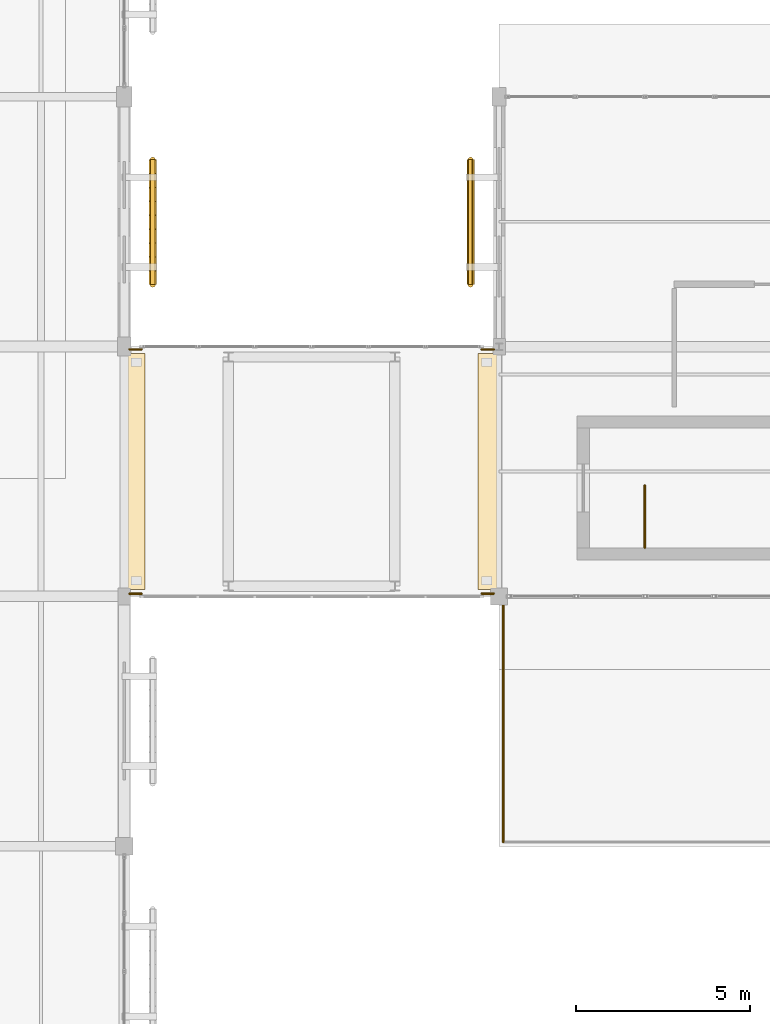
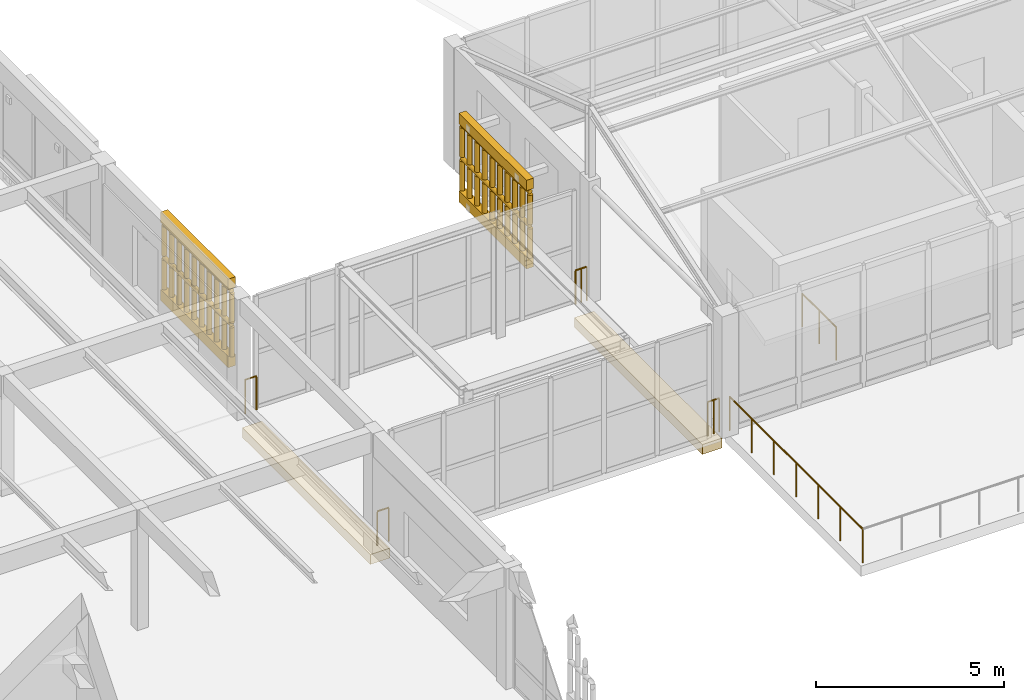
# One storey, part 98 of 112: 10 railings, 6 coverings.
"""IFC4 building model written with IfcOpenShell, lengths in metres."""

from ifc_helpers import new_model, si_unit, direction, frame, origin, origin_2d, place, context, subcontext, project, spatial, polyline, circle, outline, extrude, material, layer, layer_set, type_object, element, save


model = new_model("IFC4")

# Units and contexts
model_context = context("Model", 3, precision=1e-05, world=origin(), true_north=direction((0.0, 1.0)))
body_context = subcontext(model_context, "Body", "Model", "MODEL_VIEW")
ifc_project = project(units=[si_unit("LENGTHUNIT", "METRE"), si_unit("AREAUNIT", "SQUARE_METRE"), si_unit("VOLUMEUNIT", "CUBIC_METRE"), si_unit("PLANEANGLEUNIT", "RADIAN"), si_unit("MASSUNIT", "GRAM", prefix="KILO")], contexts=[model_context])

# Site, building, storey
site_placement = place(None, origin())
site = spatial("IfcSite", under=ifc_project, at=site_placement, CompositionType="ELEMENT")
building_placement = place(site_placement, origin())
building = spatial("IfcBuilding", under=site, at=building_placement, Name="Mazaris Harbour Polytechnic", CompositionType="ELEMENT")
storey_placement = place(building_placement, frame((0.0, 0.0, 13.800048828125)))
storey = spatial("IfcBuildingStorey", under=building, at=storey_placement, Name="L03", CompositionType="ELEMENT", Elevation=13.800048828125)

# Coverings
ifc_material_1 = material(Name="Concrete C40/50", Category="concrete")
ifc_layer_1 = layer(ifc_material_1, 0.320068359375, Name="Concrete C40/50")
ifc_layer_set_1 = layer_set([ifc_layer_1], Name="Concrete C40/50")
covering_type_1 = type_object("IfcCoveringType", Name="Bridge Bearing Corbel 600 Exterior", PredefinedType="CLADDING", material=ifc_layer_set_1)
covering_1_placement = place(storey_placement, frame((0.0, 0.0, -0.650146484375)))
element("IfcCovering", 1, at=covering_1_placement, inside=storey, type_object=covering_type_1, Name="PB-W1 L03 600mm Bridge Bearing Seat Corbel W", PredefinedType="CLADDING", context=body_context, shape_type="SweptSolid", body=[
    extrude(outline(polyline([(43.199951171875, 21.800048828125), (43.800048828125, 21.800048828125), (43.800048828125, 28.60009765625), (43.199951171875, 28.60009765625), (43.199951171875, 21.800048828125)])), origin(), (0.0, 0.0, 1.0), 0.320068359375),
])
covering_2_placement = place(storey_placement, frame((0.0, 0.0, -0.650146484375)))
element("IfcCovering", 2, at=covering_2_placement, inside=storey, type_object=covering_type_1, Name="PB-W1 L03 600mm Bridge Bearing Seat Corbel E", PredefinedType="CLADDING", context=body_context, shape_type="SweptSolid", body=[
    extrude(outline(polyline([(53.39990234375, 21.800048828125), (54.0, 21.800048828125), (54.0, 28.60009765625), (53.39990234375, 28.60009765625), (53.39990234375, 21.800048828125)])), origin(), (0.0, 0.0, 1.0), 0.320068359375),
])

# Railings
ifc_material_2 = material(Name="Algerian Buff Limestone", Category="masonry")
railing_type_1 = type_object("IfcRailingType", Name="Limestone Roof Garden Balustrade 1100", PredefinedType="BALUSTRADE", material=ifc_material_2)
railing_1_placement = place(storey_placement, frame((54.1201171875, 21.60009765625, 0.0)))
element("IfcRailing", 3, at=railing_1_placement, inside=storey, type_object=railing_type_1, Name="Railing BAL-V3-W", PredefinedType="BALUSTRADE", context=body_context, shape_type="SweptSolid", body=[
    extrude(circle(Radius=0.02392578125, at=origin_2d()), frame((0.0, 0.0, 1.09619140625), z_axis=(0.0, -1.0, 0.0), x_axis=(1.0, 0.0, 0.0)), (0.0, 0.0, 1.0), 7.080078125),
    extrude(circle(Radius=0.02099609375, at=origin_2d()), origin(), (0.0, 0.0, 1.0), 1.072021484375),
    extrude(circle(Radius=0.02099609375, at=origin_2d()), frame((0.0, -1.179931640625, 0.0)), (0.0, 0.0, 1.0), 1.072021484375),
    extrude(circle(Radius=0.02099609375, at=origin_2d()), frame((0.0, -2.360107421875, 0.0)), (0.0, 0.0, 1.0), 1.072021484375),
    extrude(circle(Radius=0.02099609375, at=origin_2d()), frame((0.0, -3.5400390625, 0.0)), (0.0, 0.0, 1.0), 1.072021484375),
    extrude(circle(Radius=0.02099609375, at=origin_2d()), frame((0.0, -4.719970703125, 0.0)), (0.0, 0.0, 1.0), 1.072021484375),
    extrude(circle(Radius=0.02099609375, at=origin_2d()), frame((0.0, -5.900146484375, 0.0)), (0.0, 0.0, 1.0), 1.072021484375),
    extrude(circle(Radius=0.02099609375, at=origin_2d()), frame((0.0, -7.080078125, 0.0)), (0.0, 0.0, 1.0), 1.072021484375),
])
ifc_material_3 = material(Name="Steel S355", Category="steel")
railing_type_2 = type_object("IfcRailingType", Name="Mezzanine Steel Guardrail 1100 Exterior", PredefinedType="GUARDRAIL", material=ifc_material_3)
railing_2_placement = place(storey_placement, frame((43.35009765625, 21.679931640625, 0.0)))
element("IfcRailing", 4, at=railing_2_placement, inside=storey, type_object=railing_type_2, Name="PB-W1 L03 Bridge End Guard W0", PredefinedType="GUARDRAIL", context=body_context, shape_type="SweptSolid", body=[
    extrude(circle(Radius=0.02392578125, at=origin_2d()), frame((0.0, 0.0, 1.09619140625), z_axis=(1.0, 0.0, 0.0), x_axis=(0.0, 1.0, 0.0)), (0.0, 0.0, 1.0), 0.349853515625),
    extrude(circle(Radius=0.02099609375, at=origin_2d()), origin(), (0.0, 0.0, 1.0), 1.072021484375),
    extrude(circle(Radius=0.02099609375, at=origin_2d()), frame((0.349853515625, 0.0, 0.0)), (0.0, 0.0, 1.0), 1.072021484375),
])
railing_3_placement = place(storey_placement, frame((53.5, 21.679931640625, 0.0)))
element("IfcRailing", 5, at=railing_3_placement, inside=storey, type_object=railing_type_2, Name="PB-W1 L03 Bridge End Guard E0", PredefinedType="GUARDRAIL", context=body_context, shape_type="SweptSolid", body=[
    extrude(circle(Radius=0.02392578125, at=origin_2d()), frame((0.0, 0.0, 1.09619140625), z_axis=(1.0, 0.0, 0.0), x_axis=(0.0, 1.0, 0.0)), (0.0, 0.0, 1.0), 0.35009765625),
    extrude(circle(Radius=0.02099609375, at=origin_2d()), origin(), (0.0, 0.0, 1.0), 1.072021484375),
    extrude(circle(Radius=0.02099609375, at=origin_2d()), frame((0.175048828125, 0.0, 0.0)), (0.0, 0.0, 1.0), 1.072021484375),
    extrude(circle(Radius=0.02099609375, at=origin_2d()), frame((0.35009765625, 0.0, 0.0)), (0.0, 0.0, 1.0), 1.072021484375),
])
railing_4_placement = place(storey_placement, frame((43.35009765625, 28.719970703125, 0.0)))
element("IfcRailing", 6, at=railing_4_placement, inside=storey, type_object=railing_type_2, Name="PB-W1 L03 Bridge End Guard W1", PredefinedType="GUARDRAIL", context=body_context, shape_type="SweptSolid", body=[
    extrude(circle(Radius=0.02392578125, at=origin_2d()), frame((0.0, 0.0, 1.09619140625), z_axis=(1.0, 0.0, 0.0), x_axis=(0.0, 1.0, 0.0)), (0.0, 0.0, 1.0), 0.349853515625),
    extrude(circle(Radius=0.02099609375, at=origin_2d()), origin(), (0.0, 0.0, 1.0), 1.072021484375),
    extrude(circle(Radius=0.02099609375, at=origin_2d()), frame((0.349853515625, 0.0, 0.0)), (0.0, 0.0, 1.0), 1.072021484375),
])
railing_5_placement = place(storey_placement, frame((53.5, 28.719970703125, 0.0)))
element("IfcRailing", 7, at=railing_5_placement, inside=storey, type_object=railing_type_2, Name="PB-W1 L03 Bridge End Guard E1", PredefinedType="GUARDRAIL", context=body_context, shape_type="SweptSolid", body=[
    extrude(circle(Radius=0.02392578125, at=origin_2d()), frame((0.0, 0.0, 1.09619140625), z_axis=(1.0, 0.0, 0.0), x_axis=(0.0, 1.0, 0.0)), (0.0, 0.0, 1.0), 0.35009765625),
    extrude(circle(Radius=0.02099609375, at=origin_2d()), origin(), (0.0, 0.0, 1.0), 1.072021484375),
    extrude(circle(Radius=0.02099609375, at=origin_2d()), frame((0.175048828125, 0.0, 0.0)), (0.0, 0.0, 1.0), 1.072021484375),
    extrude(circle(Radius=0.02099609375, at=origin_2d()), frame((0.35009765625, 0.0, 0.0)), (0.0, 0.0, 1.0), 1.072021484375),
])
ifc_material_4 = material(Name="Perforated Earth-Coloured Terracotta Block", Category="masonry")
railing_type_3 = type_object("IfcRailingType", Name="Perforated Earth-Block Claustra Lattice 1040", PredefinedType="BALUSTRADE", material=ifc_material_4)
for number, where, name in (
    (8, (53.179931640625, 30.5849609375, 0.52001953125), "V3 L03 Lower Perforated Terracotta Block Screen 134"),
    (9, (53.179931640625, 30.5849609375, 1.60986328125), "V3 L03 Upper Perforated Terracotta Block Screen 134"),
):
    element("IfcRailing", number, at=place(storey_placement, frame(where)), inside=storey, type_object=railing_type_3, Name=name, PredefinedType="BALUSTRADE", context=body_context, shape_type="SweptSolid", body=[
        extrude(circle(Radius=0.06982421875, at=origin_2d()), frame((0.0, 0.0, 1.02001953125), z_axis=(0.0, 1.0, 0.0), x_axis=(-1.0, 0.0, 0.0)), (0.0, 0.0, 1.0), 3.60009765625),
        extrude(circle(Radius=0.074951171875, at=origin_2d()), origin(), (0.0, 0.0, 1.0), 0.9501953125),
        extrude(circle(Radius=0.074951171875, at=origin_2d()), frame((0.0, 0.39990234375, 0.0)), (0.0, 0.0, 1.0), 0.9501953125),
        extrude(circle(Radius=0.074951171875, at=origin_2d()), frame((0.0, 0.800048828125, 0.0)), (0.0, 0.0, 1.0), 0.9501953125),
        extrude(circle(Radius=0.074951171875, at=origin_2d()), frame((0.0, 1.199951171875, 0.0)), (0.0, 0.0, 1.0), 0.9501953125),
        extrude(circle(Radius=0.074951171875, at=origin_2d()), frame((0.0, 1.60009765625, 0.0)), (0.0, 0.0, 1.0), 0.9501953125),
        extrude(circle(Radius=0.074951171875, at=origin_2d()), frame((0.0, 2.0, 0.0)), (0.0, 0.0, 1.0), 0.9501953125),
        extrude(circle(Radius=0.074951171875, at=origin_2d()), frame((0.0, 2.400146484375, 0.0)), (0.0, 0.0, 1.0), 0.9501953125),
        extrude(circle(Radius=0.074951171875, at=origin_2d()), frame((0.0, 2.800048828125, 0.0)), (0.0, 0.0, 1.0), 0.9501953125),
        extrude(circle(Radius=0.074951171875, at=origin_2d()), frame((0.0, 3.2001953125, 0.0)), (0.0, 0.0, 1.0), 0.9501953125),
        extrude(circle(Radius=0.074951171875, at=origin_2d()), frame((0.0, 3.60009765625, 0.0)), (0.0, 0.0, 1.0), 0.9501953125),
    ])
for number, where, name in (
    (10, (44.02001953125, 34.18505859375, 0.52001953125), "V4 L03 Lower Perforated Terracotta Block Screen 273"),
    (11, (44.02001953125, 34.18505859375, 1.60986328125), "V4 L03 Upper Perforated Terracotta Block Screen 273"),
):
    element("IfcRailing", number, at=place(storey_placement, frame(where)), inside=storey, type_object=railing_type_3, Name=name, PredefinedType="BALUSTRADE", context=body_context, shape_type="SweptSolid", body=[
        extrude(circle(Radius=0.06982421875, at=origin_2d()), frame((0.0, 0.0, 1.02001953125), z_axis=(0.0, -1.0, 0.0), x_axis=(1.0, 0.0, 0.0)), (0.0, 0.0, 1.0), 3.60009765625),
        extrude(circle(Radius=0.074951171875, at=origin_2d()), origin(), (0.0, 0.0, 1.0), 0.9501953125),
        extrude(circle(Radius=0.074951171875, at=origin_2d()), frame((0.0, -0.39990234375, 0.0)), (0.0, 0.0, 1.0), 0.9501953125),
        extrude(circle(Radius=0.074951171875, at=origin_2d()), frame((0.0, -0.800048828125, 0.0)), (0.0, 0.0, 1.0), 0.9501953125),
        extrude(circle(Radius=0.074951171875, at=origin_2d()), frame((0.0, -1.199951171875, 0.0)), (0.0, 0.0, 1.0), 0.9501953125),
        extrude(circle(Radius=0.074951171875, at=origin_2d()), frame((0.0, -1.60009765625, 0.0)), (0.0, 0.0, 1.0), 0.9501953125),
        extrude(circle(Radius=0.074951171875, at=origin_2d()), frame((0.0, -2.0, 0.0)), (0.0, 0.0, 1.0), 0.9501953125),
        extrude(circle(Radius=0.074951171875, at=origin_2d()), frame((0.0, -2.400146484375, 0.0)), (0.0, 0.0, 1.0), 0.9501953125),
        extrude(circle(Radius=0.074951171875, at=origin_2d()), frame((0.0, -2.800048828125, 0.0)), (0.0, 0.0, 1.0), 0.9501953125),
        extrude(circle(Radius=0.074951171875, at=origin_2d()), frame((0.0, -3.2001953125, 0.0)), (0.0, 0.0, 1.0), 0.9501953125),
        extrude(circle(Radius=0.074951171875, at=origin_2d()), frame((0.0, -3.60009765625, 0.0)), (0.0, 0.0, 1.0), 0.9501953125),
    ])
ifc_material_5 = material(Name="Steel S355", Category="steel")
railing_type_4 = type_object("IfcRailingType", Name="Stair Well Guardrail 1100", PredefinedType="GUARDRAIL", material=ifc_material_5)
railing_6_placement = place(storey_placement, frame((58.199951171875, 23.0, 0.0)))
element("IfcRailing", 12, at=railing_6_placement, inside=storey, type_object=railing_type_4, Name="L03 ST05 top well guard 1", PredefinedType="GUARDRAIL", context=body_context, shape_type="SweptSolid", body=[
    extrude(circle(Radius=0.02392578125, at=origin_2d()), frame((0.0, 0.0, 1.076171875), z_axis=(0.0, 1.0, 0.0), x_axis=(-1.0, 0.0, 0.0)), (0.0, 0.0, 1.0), 1.800048828125),
    extrude(circle(Radius=0.02099609375, at=origin_2d()), origin(), (0.0, 0.0, 1.0), 1.052001953125),
    extrude(circle(Radius=0.02099609375, at=origin_2d()), frame((0.0, 0.89990234375, 0.0)), (0.0, 0.0, 1.0), 1.052001953125),
    extrude(circle(Radius=0.02099609375, at=origin_2d()), frame((0.0, 1.800048828125, 0.0)), (0.0, 0.0, 1.0), 1.052001953125),
])

# Coverings
ifc_material_6 = material(Name="Perforated Earth-Coloured Terracotta Block", Category="masonry")
ifc_layer_2 = layer(ifc_material_6, 0.219970703125, Name="Perforated Earth-Coloured Terracotta Block")
ifc_layer_set_2 = layer_set([ifc_layer_2], Name="Perforated Earth-Coloured Terracotta Block")
covering_type_2 = type_object("IfcCoveringType", Name="Terracotta Screen Course Cladding 220", PredefinedType="CLADDING", material=ifc_layer_set_2)
covering_3_placement = place(storey_placement, frame((0.0, 0.0, 0.159912109375)))
element("IfcCovering", 13, at=covering_3_placement, inside=storey, type_object=covering_type_2, Name="V3 L03 Perforated Screen Sill Course 134", PredefinedType="CLADDING", context=body_context, shape_type="SweptSolid", body=[
    extrude(outline(polyline([(53.2900390625, 30.5849609375), (53.2900390625, 34.18505859375), (53.070068359375, 34.18505859375), (53.070068359375, 30.5849609375), (53.2900390625, 30.5849609375)])), origin(), (0.0, 0.0, 1.0), 0.360107421875),
])
covering_4_placement = place(storey_placement, frame((0.0, 0.0, 2.699951171875)))
element("IfcCovering", 14, at=covering_4_placement, inside=storey, type_object=covering_type_2, Name="V3 L03 Perforated Screen Lintel Course 134", PredefinedType="CLADDING", context=body_context, shape_type="SweptSolid", body=[
    extrude(outline(polyline([(53.2900390625, 30.5849609375), (53.2900390625, 34.18505859375), (53.070068359375, 34.18505859375), (53.070068359375, 30.5849609375), (53.2900390625, 30.5849609375)])), origin(), (0.0, 0.0, 1.0), 0.340087890625),
])
covering_5_placement = place(storey_placement, frame((0.0, 0.0, 0.159912109375)))
element("IfcCovering", 15, at=covering_5_placement, inside=storey, type_object=covering_type_2, Name="V4 L03 Perforated Screen Sill Course 273", PredefinedType="CLADDING", context=body_context, shape_type="SweptSolid", body=[
    extrude(outline(polyline([(43.909912109375, 34.18505859375), (43.909912109375, 30.5849609375), (44.1298828125, 30.5849609375), (44.1298828125, 34.18505859375), (43.909912109375, 34.18505859375)])), origin(), (0.0, 0.0, 1.0), 0.360107421875),
])
covering_6_placement = place(storey_placement, frame((0.0, 0.0, 2.699951171875)))
element("IfcCovering", 16, at=covering_6_placement, inside=storey, type_object=covering_type_2, Name="V4 L03 Perforated Screen Lintel Course 273", PredefinedType="CLADDING", context=body_context, shape_type="SweptSolid", body=[
    extrude(outline(polyline([(43.909912109375, 34.18505859375), (43.909912109375, 30.5849609375), (44.1298828125, 30.5849609375), (44.1298828125, 34.18505859375), (43.909912109375, 34.18505859375)])), origin(), (0.0, 0.0, 1.0), 0.340087890625),
])

save(model, "model.ifc")
